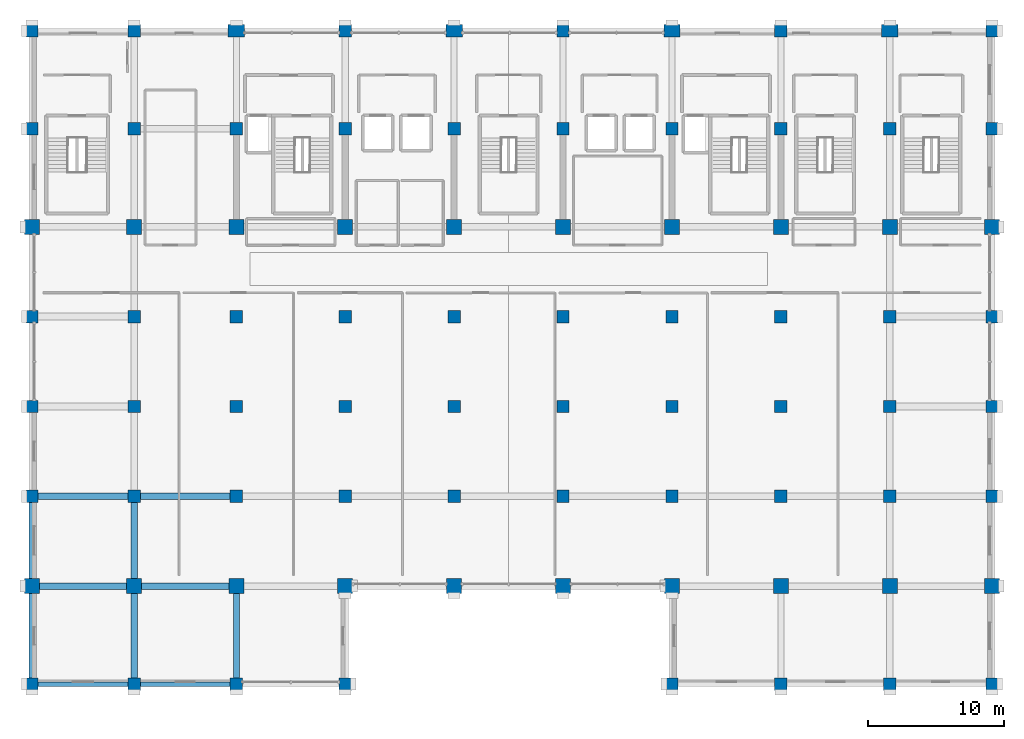
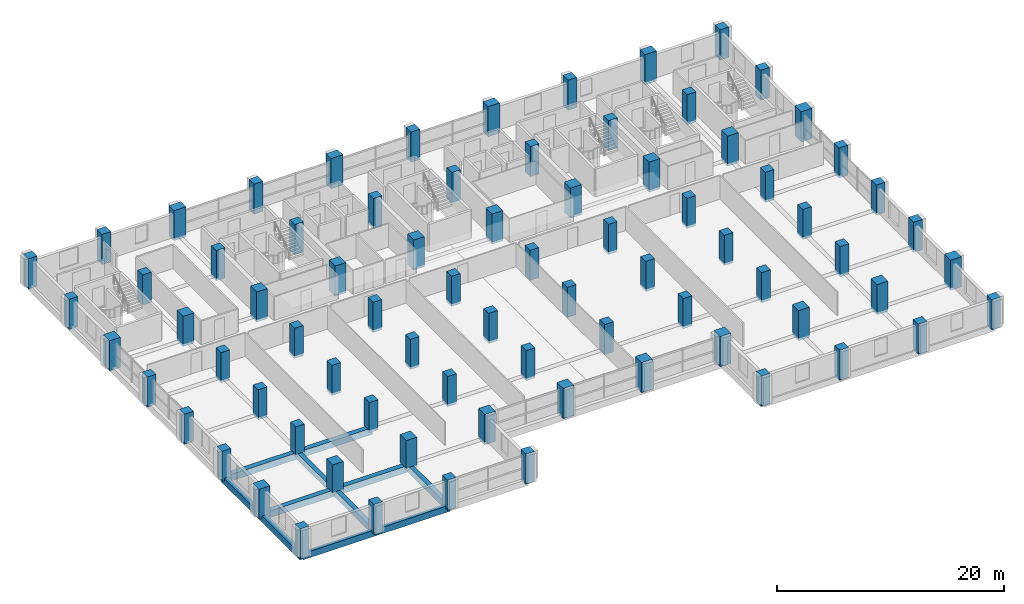
# One storey, part 1 of 21: 78 columns, 11 beams.
"""IFC4 building model written with IfcOpenShell, lengths in metres."""

from ifc_helpers import new_model, si_unit, direction, frame, origin, origin_2d, place, context, subcontext, project, spatial, rectangle, extrude, material, material_profile, profile_set, type_object, element, save


model = new_model("IFC4")

# Units and contexts
model_context = context("Model", 3, precision=1e-05, world=origin(), true_north=direction((0.0, 1.0)))
body_context = subcontext(model_context, "Body", "Model", "MODEL_VIEW")
ifc_project = project(units=[si_unit("LENGTHUNIT", "METRE"), si_unit("AREAUNIT", "SQUARE_METRE"), si_unit("VOLUMEUNIT", "CUBIC_METRE"), si_unit("PLANEANGLEUNIT", "RADIAN"), si_unit("MASSUNIT", "GRAM", prefix="KILO")], contexts=[model_context])

# Site, building, storey
site_placement = place(None, origin())
site = spatial("IfcSite", under=ifc_project, at=site_placement, CompositionType="ELEMENT")
building_placement = place(site_placement, origin())
building = spatial("IfcBuilding", under=site, at=building_placement, Name="Akrevak Sports Hall", CompositionType="ELEMENT")
storey_placement = place(building_placement, frame((0.0, 0.0, 27.550048828125)))
storey = spatial("IfcBuildingStorey", under=building, at=storey_placement, Name="L05", CompositionType="ELEMENT", Elevation=27.550048828125)

# Columns
ifc_material_1 = material(Name="Concrete C50/60", Category="concrete")
ifc_material_profile_1 = material_profile(ifc_material_1, rectangle(XDim=1.10009765625, YDim=1.10009765625, at=origin_2d()), Name="RC 1100x1100", Category="concrete")
ifc_profile_set_1 = profile_set([ifc_material_profile_1], Name="Concrete C50/60")
column_type_1 = type_object("IfcColumnType", Name="STR-COL-RC1100", PredefinedType="COLUMN", material=ifc_profile_set_1)
for number, where, z_axis, x_axis, name in (
    (1, (45.0, 28.800048828125, -0.260009765625), (0.0, 0.0, 1.0), (1.0, 0.0, 0.0), "Column 7/E (L05)"),
    (2, (45.0, 55.199951171875, -0.260009765625), (0.0, 0.0, 1.0), (1.0, 0.0, 0.0), "Column 7/I (L05)"),
    (3, (52.5, 28.800048828125, -0.260009765625), (0.0, 0.0, 1.0), (1.0, 0.0, 0.0), "Column 8/E (L05)"),
    (4, (52.5, 55.199951171875, -0.260009765625), (0.0, 0.0, 1.0), (1.0, 0.0, 0.0), "Column 8/I (L05)"),
    (5, (60.0, 28.800048828125, -0.260009765625), (0.0, 0.0, 1.0), (1.0, 0.0, 0.0), "Column 9/E (L05)"),
    (6, (60.0, 55.199951171875, -0.260009765625), (0.0, 0.0, 1.0), (1.0, 0.0, 0.0), "Column 9/I (L05)"),
    (7, (68.0, 28.800048828125, -0.260009765625), (0.0, 0.0, 1.0), (1.0, 0.0, 0.0), "Column 10/E (L05)"),
    (8, (68.0, 55.199951171875, -0.260009765625), (0.0, 0.0, 1.0), (1.0, 0.0, 0.0), "Column 10/I (L05)"),
    (9, (76.0, 28.800048828125, -0.260009765625), (0.0, 0.0, 1.0), (1.0, 0.0, 0.0), "Column 11/E (L05)"),
    (10, (76.0, 55.199951171875, -0.260009765625), (0.0, 0.0, 1.0), (1.0, 0.0, 0.0), "Column 11/I (L05)"),
    (11, (84.0, 28.800048828125, -0.260009765625), (0.0, 0.0, 1.0), (1.0, 0.0, 0.0), "Column 12/E (L05)"),
    (12, (84.0, 55.199951171875, -0.260009765625), (0.0, 0.0, 1.0), (1.0, 0.0, 0.0), "Column 12/I (L05)"),
    (13, (92.0, 28.800048828125, -0.260009765625), (0.0, 0.0, 1.0), (1.0, 0.0, 0.0), "Column 13/E (L05)"),
    (14, (92.0, 55.199951171875, -0.260009765625), (0.0, 0.0, 1.0), (1.0, 0.0, 0.0), "Column 13/I (L05)"),
    (15, (100.0, 28.800048828125, -0.260009765625), (0.0, 0.0, 1.0), (1.0, 0.0, 0.0), "Column 14/E (L05)"),
    (16, (100.0, 55.199951171875, -0.260009765625), (0.0, 0.0, 1.0), (1.0, 0.0, 0.0), "Column 14/I (L05)"),
    (17, (108.0, 28.800048828125, -0.260009765625), (0.0, 0.0, 1.0), (1.0, 0.0, 0.0), "Column 15/E (L05)"),
    (18, (108.0, 55.199951171875, -0.260009765625), (0.0, 0.0, 1.0), (1.0, 0.0, 0.0), "Column 15/I (L05)"),
    (19, (115.5, 28.800048828125, -0.260009765625), (0.0, 0.0, 1.0), (1.0, 0.0, 0.0), "Column 16/E (L05)"),
    (20, (115.5, 55.199951171875, -0.260009765625), (0.0, 0.0, 1.0), (1.0, 0.0, 0.0), "Column 16/I (L05)"),
):
    element("IfcColumn", number, at=place(storey_placement, frame(where, z_axis=z_axis, x_axis=x_axis)), inside=storey, type_object=column_type_1, Name=name, PredefinedType="COLUMN", context=body_context, shape_type="SweptSolid", body=[
        extrude(rectangle(XDim=1.10009765625, YDim=1.10009765625, at=origin_2d()), origin(), (0.0, 0.0, 1.0), 3.25),
    ])
ifc_material_profile_2 = material_profile(ifc_material_1, rectangle(XDim=1.199951171875, YDim=0.89990234375, at=origin_2d()), Name="RC 1200x900", Category="concrete")
ifc_profile_set_2 = profile_set([ifc_material_profile_2], Name="Concrete C50/60")
column_type_2 = type_object("IfcColumnType", Name="STR-COL-RC1200x900", PredefinedType="COLUMN", material=ifc_profile_set_2)
for number, where, z_axis, x_axis, name in (
    (21, (60.0, 69.60009765625, -0.260009765625), (0.0, 0.0, 1.0), (1.0, 0.0, 0.0), "Column 9/K (L05)"),
    (22, (76.0, 69.60009765625, -0.260009765625), (0.0, 0.0, 1.0), (1.0, 0.0, 0.0), "Column 11/K (L05)"),
    (23, (92.0, 69.60009765625, -0.260009765625), (0.0, 0.0, 1.0), (1.0, 0.0, 0.0), "Column 13/K (L05)"),
    (24, (108.0, 69.60009765625, -0.260009765625), (0.0, 0.0, 1.0), (1.0, 0.0, 0.0), "Column 15/K (L05)"),
):
    element("IfcColumn", number, at=place(storey_placement, frame(where, z_axis=z_axis, x_axis=x_axis)), inside=storey, type_object=column_type_2, Name=name, PredefinedType="COLUMN", context=body_context, shape_type="SweptSolid", body=[
        extrude(rectangle(XDim=1.199951171875, YDim=0.89990234375, at=origin_2d()), origin(), (0.0, 0.0, 1.0), 3.25),
    ])
ifc_material_2 = material(Name="Concrete C40/50", Category="concrete")
ifc_material_profile_3 = material_profile(ifc_material_2, rectangle(XDim=0.89990234375, YDim=0.89990234375, at=origin_2d()), Name="RC 900x900", Category="concrete")
ifc_profile_set_3 = profile_set([ifc_material_profile_3], Name="Concrete C40/50")
column_type_3 = type_object("IfcColumnType", Name="STR-COL-RC900", PredefinedType="COLUMN", material=ifc_profile_set_3)
for number, where, z_axis, x_axis, name in (
    (25, (45.0, 21.60009765625, -0.260009765625), (0.0, 0.0, 1.0), (1.0, 0.0, 0.0), "Column 7/D (L05)"),
    (26, (45.0, 35.39990234375, -0.260009765625), (0.0, 0.0, 1.0), (1.0, 0.0, 0.0), "Column 7/F (L05)"),
    (27, (45.0, 42.0, -0.260009765625), (0.0, 0.0, 1.0), (1.0, 0.0, 0.0), "Column 7/G (L05)"),
    (28, (45.0, 48.60009765625, -0.260009765625), (0.0, 0.0, 1.0), (1.0, 0.0, 0.0), "Column 7/H (L05)"),
    (29, (45.0, 62.39990234375, -0.260009765625), (0.0, 0.0, 1.0), (1.0, 0.0, 0.0), "Column 7/J (L05)"),
    (30, (45.0, 69.60009765625, -0.260009765625), (0.0, 0.0, 1.0), (1.0, 0.0, 0.0), "Column 7/K (L05)"),
    (31, (52.5, 21.60009765625, -0.260009765625), (0.0, 0.0, 1.0), (1.0, 0.0, 0.0), "Column 8/D (L05)"),
    (32, (52.5, 35.39990234375, -0.260009765625), (0.0, 0.0, 1.0), (1.0, 0.0, 0.0), "Column 8/F (L05)"),
    (33, (52.5, 42.0, -0.260009765625), (0.0, 0.0, 1.0), (1.0, 0.0, 0.0), "Column 8/G (L05)"),
    (34, (52.5, 48.60009765625, -0.260009765625), (0.0, 0.0, 1.0), (1.0, 0.0, 0.0), "Column 8/H (L05)"),
    (35, (52.5, 62.39990234375, -0.260009765625), (0.0, 0.0, 1.0), (1.0, 0.0, 0.0), "Column 8/J (L05)"),
    (36, (52.5, 69.60009765625, -0.260009765625), (0.0, 0.0, 1.0), (1.0, 0.0, 0.0), "Column 8/K (L05)"),
    (37, (60.0, 21.60009765625, -0.260009765625), (0.0, 0.0, 1.0), (1.0, 0.0, 0.0), "Column 9/D (L05)"),
    (38, (60.0, 35.39990234375, -0.260009765625), (0.0, 0.0, 1.0), (1.0, 0.0, 0.0), "Column 9/F (L05)"),
    (39, (60.0, 42.0, -0.260009765625), (0.0, 0.0, 1.0), (1.0, 0.0, 0.0), "Column 9/G (L05)"),
    (40, (60.0, 48.60009765625, -0.260009765625), (0.0, 0.0, 1.0), (1.0, 0.0, 0.0), "Column 9/H (L05)"),
    (41, (60.0, 62.39990234375, -0.260009765625), (0.0, 0.0, 1.0), (1.0, 0.0, 0.0), "Column 9/J (L05)"),
    (42, (68.0, 21.60009765625, -0.260009765625), (0.0, 0.0, 1.0), (1.0, 0.0, 0.0), "Column 10/D (L05)"),
    (43, (68.0, 35.39990234375, -0.260009765625), (0.0, 0.0, 1.0), (1.0, 0.0, 0.0), "Column 10/F (L05)"),
    (44, (68.0, 42.0, -0.260009765625), (0.0, 0.0, 1.0), (1.0, 0.0, 0.0), "Column 10/G (L05)"),
    (45, (68.0, 48.60009765625, -0.260009765625), (0.0, 0.0, 1.0), (1.0, 0.0, 0.0), "Column 10/H (L05)"),
    (46, (68.0, 62.39990234375, -0.260009765625), (0.0, 0.0, 1.0), (1.0, 0.0, 0.0), "Column 10/J (L05)"),
    (47, (68.0, 69.60009765625, -0.260009765625), (0.0, 0.0, 1.0), (1.0, 0.0, 0.0), "Column 10/K (L05)"),
    (48, (76.0, 35.39990234375, -0.260009765625), (0.0, 0.0, 1.0), (1.0, 0.0, 0.0), "Column 11/F (L05)"),
    (49, (76.0, 42.0, -0.260009765625), (0.0, 0.0, 1.0), (1.0, 0.0, 0.0), "Column 11/G (L05)"),
    (50, (76.0, 48.60009765625, -0.260009765625), (0.0, 0.0, 1.0), (1.0, 0.0, 0.0), "Column 11/H (L05)"),
    (51, (76.0, 62.39990234375, -0.260009765625), (0.0, 0.0, 1.0), (1.0, 0.0, 0.0), "Column 11/J (L05)"),
    (52, (84.0, 35.39990234375, -0.260009765625), (0.0, 0.0, 1.0), (1.0, 0.0, 0.0), "Column 12/F (L05)"),
    (53, (84.0, 42.0, -0.260009765625), (0.0, 0.0, 1.0), (1.0, 0.0, 0.0), "Column 12/G (L05)"),
    (54, (84.0, 48.60009765625, -0.260009765625), (0.0, 0.0, 1.0), (1.0, 0.0, 0.0), "Column 12/H (L05)"),
    (55, (84.0, 62.39990234375, -0.260009765625), (0.0, 0.0, 1.0), (1.0, 0.0, 0.0), "Column 12/J (L05)"),
    (56, (84.0, 69.60009765625, -0.260009765625), (0.0, 0.0, 1.0), (1.0, 0.0, 0.0), "Column 12/K (L05)"),
    (57, (92.0, 21.60009765625, -0.260009765625), (0.0, 0.0, 1.0), (1.0, 0.0, 0.0), "Column 13/D (L05)"),
    (58, (92.0, 35.39990234375, -0.260009765625), (0.0, 0.0, 1.0), (1.0, 0.0, 0.0), "Column 13/F (L05)"),
    (59, (92.0, 42.0, -0.260009765625), (0.0, 0.0, 1.0), (1.0, 0.0, 0.0), "Column 13/G (L05)"),
    (60, (92.0, 48.60009765625, -0.260009765625), (0.0, 0.0, 1.0), (1.0, 0.0, 0.0), "Column 13/H (L05)"),
    (61, (92.0, 62.39990234375, -0.260009765625), (0.0, 0.0, 1.0), (1.0, 0.0, 0.0), "Column 13/J (L05)"),
    (62, (100.0, 21.60009765625, -0.260009765625), (0.0, 0.0, 1.0), (1.0, 0.0, 0.0), "Column 14/D (L05)"),
    (63, (100.0, 35.39990234375, -0.260009765625), (0.0, 0.0, 1.0), (1.0, 0.0, 0.0), "Column 14/F (L05)"),
    (64, (100.0, 42.0, -0.260009765625), (0.0, 0.0, 1.0), (1.0, 0.0, 0.0), "Column 14/G (L05)"),
    (65, (100.0, 48.60009765625, -0.260009765625), (0.0, 0.0, 1.0), (1.0, 0.0, 0.0), "Column 14/H (L05)"),
    (66, (100.0, 62.39990234375, -0.260009765625), (0.0, 0.0, 1.0), (1.0, 0.0, 0.0), "Column 14/J (L05)"),
    (67, (100.0, 69.60009765625, -0.260009765625), (0.0, 0.0, 1.0), (1.0, 0.0, 0.0), "Column 14/K (L05)"),
    (68, (108.0, 21.60009765625, -0.260009765625), (0.0, 0.0, 1.0), (1.0, 0.0, 0.0), "Column 15/D (L05)"),
    (69, (108.0, 35.39990234375, -0.260009765625), (0.0, 0.0, 1.0), (1.0, 0.0, 0.0), "Column 15/F (L05)"),
    (70, (108.0, 42.0, -0.260009765625), (0.0, 0.0, 1.0), (1.0, 0.0, 0.0), "Column 15/G (L05)"),
    (71, (108.0, 48.60009765625, -0.260009765625), (0.0, 0.0, 1.0), (1.0, 0.0, 0.0), "Column 15/H (L05)"),
    (72, (108.0, 62.39990234375, -0.260009765625), (0.0, 0.0, 1.0), (1.0, 0.0, 0.0), "Column 15/J (L05)"),
    (73, (115.5, 21.60009765625, -0.260009765625), (0.0, 0.0, 1.0), (1.0, 0.0, 0.0), "Column 16/D (L05)"),
    (74, (115.5, 35.39990234375, -0.260009765625), (0.0, 0.0, 1.0), (1.0, 0.0, 0.0), "Column 16/F (L05)"),
    (75, (115.5, 42.0, -0.260009765625), (0.0, 0.0, 1.0), (1.0, 0.0, 0.0), "Column 16/G (L05)"),
    (76, (115.5, 48.60009765625, -0.260009765625), (0.0, 0.0, 1.0), (1.0, 0.0, 0.0), "Column 16/H (L05)"),
    (77, (115.5, 62.39990234375, -0.260009765625), (0.0, 0.0, 1.0), (1.0, 0.0, 0.0), "Column 16/J (L05)"),
    (78, (115.5, 69.60009765625, -0.260009765625), (0.0, 0.0, 1.0), (1.0, 0.0, 0.0), "Column 16/K (L05)"),
):
    element("IfcColumn", number, at=place(storey_placement, frame(where, z_axis=z_axis, x_axis=x_axis)), inside=storey, type_object=column_type_3, Name=name, PredefinedType="COLUMN", context=body_context, shape_type="SweptSolid", body=[
        extrude(rectangle(XDim=0.89990234375, YDim=0.89990234375, at=origin_2d()), origin(), (0.0, 0.0, 1.0), 3.25),
    ])

# Beams
ifc_material_profile_4 = material_profile(ifc_material_2, rectangle(XDim=0.449951171875, YDim=0.699951171875, at=origin_2d()), Name="BM 450x700", Category="concrete")
ifc_profile_set_4 = profile_set([ifc_material_profile_4], Name="Concrete C40/50")
beam_type_1 = type_object("IfcBeamType", Name="STR-BM-RC450x700", PredefinedType="BEAM", material=ifc_profile_set_4)
beam_1_placement = place(storey_placement, frame((45.0, 21.60009765625, -0.35009765625), z_axis=(0.0, 1.0, 0.0), x_axis=(-1.0, 0.0, 0.0)))
element("IfcBeam", 79, at=beam_1_placement, inside=storey, type_object=beam_type_1, Name="Girder 7/D-E (L05)", PredefinedType="BEAM", context=body_context, shape_type="SweptSolid", body=[
    extrude(rectangle(XDim=0.449951171875, YDim=0.699951171875, at=origin_2d()), origin(), (0.0, 0.0, 1.0), 7.199951171875),
])
beam_2_placement = place(storey_placement, frame((45.0, 28.800048828125, -0.35009765625), z_axis=(0.0, 1.0, 0.0), x_axis=(-1.0, 0.0, 0.0)))
element("IfcBeam", 80, at=beam_2_placement, inside=storey, type_object=beam_type_1, Name="Girder 7/E-F (L05)", PredefinedType="BEAM", context=body_context, shape_type="SweptSolid", body=[
    extrude(rectangle(XDim=0.449951171875, YDim=0.699951171875, at=origin_2d()), origin(), (0.0, 0.0, 1.0), 6.599853515625),
])
beam_3_placement = place(storey_placement, frame((52.5, 21.60009765625, -0.35009765625), z_axis=(0.0, 1.0, 0.0), x_axis=(-1.0, 0.0, 0.0)))
element("IfcBeam", 81, at=beam_3_placement, inside=storey, type_object=beam_type_1, Name="Girder 8/D-E (L05)", PredefinedType="BEAM", context=body_context, shape_type="SweptSolid", body=[
    extrude(rectangle(XDim=0.449951171875, YDim=0.699951171875, at=origin_2d()), origin(), (0.0, 0.0, 1.0), 7.199951171875),
])
beam_4_placement = place(storey_placement, frame((52.5, 28.800048828125, -0.35009765625), z_axis=(0.0, 1.0, 0.0), x_axis=(-1.0, 0.0, 0.0)))
element("IfcBeam", 82, at=beam_4_placement, inside=storey, type_object=beam_type_1, Name="Girder 8/E-F (L05)", PredefinedType="BEAM", context=body_context, shape_type="SweptSolid", body=[
    extrude(rectangle(XDim=0.449951171875, YDim=0.699951171875, at=origin_2d()), origin(), (0.0, 0.0, 1.0), 6.599853515625),
])
beam_5_placement = place(storey_placement, frame((60.0, 21.60009765625, -0.35009765625), z_axis=(0.0, 1.0, 0.0), x_axis=(-1.0, 0.0, 0.0)))
element("IfcBeam", 83, at=beam_5_placement, inside=storey, type_object=beam_type_1, Name="Girder 9/D-E (L05)", PredefinedType="BEAM", context=body_context, shape_type="SweptSolid", body=[
    extrude(rectangle(XDim=0.449951171875, YDim=0.699951171875, at=origin_2d()), origin(), (0.0, 0.0, 1.0), 7.199951171875),
])
ifc_material_profile_5 = material_profile(ifc_material_2, rectangle(XDim=0.5, YDim=0.699951171875, at=origin_2d()), Name="BM 500x700", Category="concrete")
ifc_profile_set_5 = profile_set([ifc_material_profile_5], Name="Concrete C40/50")
beam_type_2 = type_object("IfcBeamType", Name="STR-BM-RC500x700", PredefinedType="BEAM", material=ifc_profile_set_5)
for number, where, z_axis, x_axis, name in (
    (84, (45.0, 28.800048828125, -0.35009765625), (1.0, 0.0, 0.0), (0.0, 1.0, 0.0), "Girder E/7-8 (L05)"),
    (85, (52.5, 28.800048828125, -0.35009765625), (1.0, 0.0, 0.0), (0.0, 1.0, 0.0), "Girder E/8-9 (L05)"),
    (86, (45.0, 35.39990234375, -0.35009765625), (1.0, 0.0, 0.0), (0.0, 1.0, 0.0), "Girder F/7-8 (L05)"),
    (87, (52.5, 35.39990234375, -0.35009765625), (1.0, 0.0, 0.0), (0.0, 1.0, 0.0), "Girder F/8-9 (L05)"),
):
    element("IfcBeam", number, at=place(storey_placement, frame(where, z_axis=z_axis, x_axis=x_axis)), inside=storey, type_object=beam_type_2, Name=name, PredefinedType="BEAM", context=body_context, shape_type="SweptSolid", body=[
        extrude(rectangle(XDim=0.5, YDim=0.699951171875, at=origin_2d()), origin(), (0.0, 0.0, 1.0), 7.5),
    ])
ifc_material_profile_6 = material_profile(ifc_material_2, rectangle(XDim=0.320068359375, YDim=0.679931640625, at=origin_2d()), Name="SPD 320x680", Category="concrete")
ifc_profile_set_6 = profile_set([ifc_material_profile_6], Name="Concrete C40/50")
beam_type_3 = type_object("IfcBeamType", Name="STR-SPD-RC320x680", PredefinedType="SPANDREL", material=ifc_profile_set_6)
for number, where, z_axis, x_axis, name in (
    (88, (45.0, 21.60009765625, -0.340087890625), (1.0, 0.0, 0.0), (0.0, 1.0, 0.0), "Girder D/7-8 (L05)"),
    (89, (52.5, 21.60009765625, -0.340087890625), (1.0, 0.0, 0.0), (0.0, 1.0, 0.0), "Girder D/8-9 (L05)"),
):
    element("IfcBeam", number, at=place(storey_placement, frame(where, z_axis=z_axis, x_axis=x_axis)), inside=storey, type_object=beam_type_3, Name=name, PredefinedType="SPANDREL", context=body_context, shape_type="SweptSolid", body=[
        extrude(rectangle(XDim=0.320068359375, YDim=0.679931640625, at=origin_2d()), origin(), (0.0, 0.0, 1.0), 7.5),
    ])

save(model, "model.ifc")
